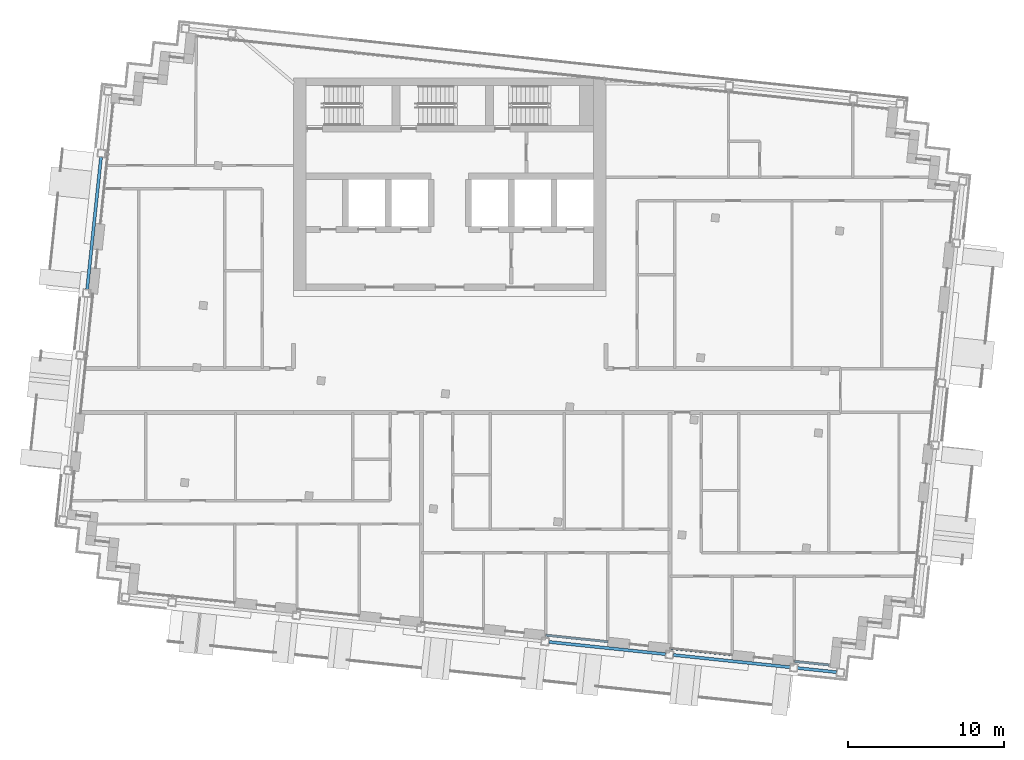
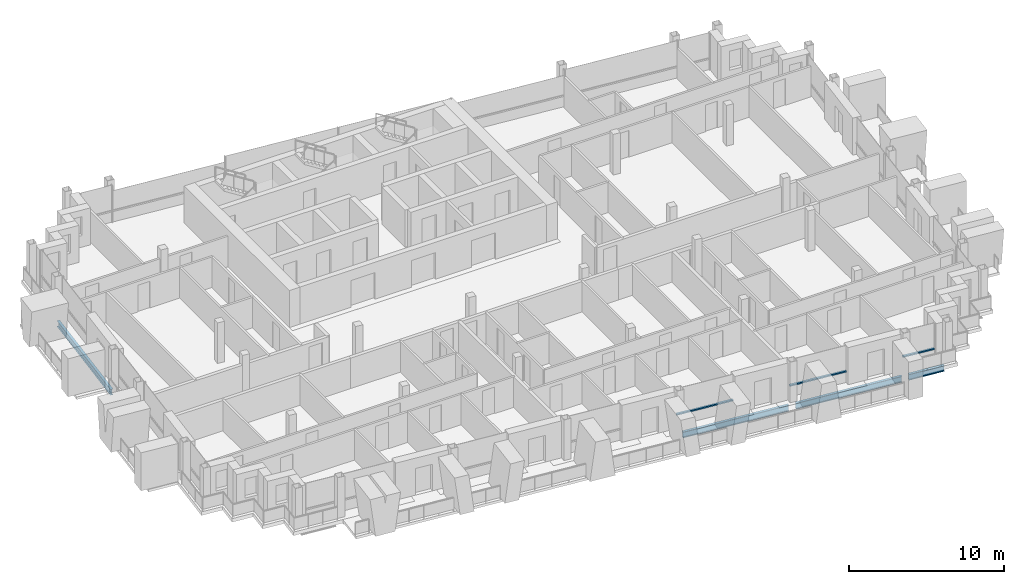
# One storey, part 3 of 17: 4 beams, 3 members, 3 elements without a shape of their own.
"""IFC4 building model written with IfcOpenShell, lengths in metres."""

from ifc_helpers import new_model, si_unit, direction, frame, origin, origin_2d, place, context, subcontext, project, spatial, rectangle, i_section, extrude, material, material_profile, profile_set, type_object, element, aggregate, save


model = new_model("IFC4")

# Units and contexts
model_context = context("Model", 3, precision=1e-05, world=origin(), true_north=direction((0.0, 1.0)))
body_context = subcontext(model_context, "Body", "Model", "MODEL_VIEW")
ifc_project = project(units=[si_unit("LENGTHUNIT", "METRE"), si_unit("AREAUNIT", "SQUARE_METRE"), si_unit("VOLUMEUNIT", "CUBIC_METRE"), si_unit("PLANEANGLEUNIT", "RADIAN"), si_unit("MASSUNIT", "GRAM", prefix="KILO")], contexts=[model_context])

# Site, building, storey
site_placement = place(None, origin())
site = spatial("IfcSite", under=ifc_project, at=site_placement, CompositionType="ELEMENT")
building_placement = place(site_placement, origin())
building = spatial("IfcBuilding", under=site, at=building_placement, Name="Vidyagriha Tower", CompositionType="ELEMENT")
storey_placement = place(building_placement, frame((0.0, 0.0, 265.89990234375)))
storey = spatial("IfcBuildingStorey", under=building, at=storey_placement, Name="L69", CompositionType="ELEMENT", Elevation=265.89990234375)

# Beams
ifc_material_1 = material(Name="Steel ASTM A992 Grade 50", Category="steel")
ifc_material_profile_1 = material_profile(ifc_material_1, i_section(OverallWidth=0.19189453125, OverallDepth=0.46240234375, WebThickness=0.010498046875, FlangeThickness=0.017578125, at=origin_2d()), Name="W18X60")
ifc_profile_set_1 = profile_set([ifc_material_profile_1], Name="Steel ASTM A992 Grade 50")
beam_type = type_object("IfcBeamType", Name="Edge beam W18X60", PredefinedType="SPANDREL", material=ifc_profile_set_1)
for number, where, z_axis, x_axis, name in (
    (1, (6.3486328125, -16.091064453125, -0.510986328125), (0.994522384662, -0.104523807841, 0.0), (0.104523807841, 0.994522384662, 0.0), "st-beam-L69-S05"),
    (2, (14.304931640625, -16.92724609375, -0.510986328125), (0.994522384662, -0.104523807841, 0.0), (0.104523807841, 0.994522384662, 0.0), "st-beam-L69-S06"),
):
    element("IfcBeam", number, at=place(storey_placement, frame(where, z_axis=z_axis, x_axis=x_axis)), inside=storey, type_object=beam_type, Name=name, PredefinedType="SPANDREL", context=body_context, shape_type="SweptSolid", body=[
        extrude(i_section(OverallWidth=0.19189453125, OverallDepth=0.46240234375, WebThickness=0.010498046875, FlangeThickness=0.017578125, at=origin_2d()), origin(), (0.0, 0.0, 1.0), 7.5),
    ])
beam_1_placement = place(storey_placement, frame((22.260986328125, -17.763427734375, -0.510986328125), z_axis=(0.994515615024, -0.104588199498, 0.0), x_axis=(0.104588199498, 0.994515615024, 0.0)))
element("IfcBeam", 3, at=beam_1_placement, inside=storey, type_object=beam_type, Name="st-beam-L69-S07", PredefinedType="SPANDREL", context=body_context, shape_type="SweptSolid", body=[
    extrude(i_section(OverallWidth=0.19189453125, OverallDepth=0.46240234375, WebThickness=0.010498046875, FlangeThickness=0.017578125, at=origin_2d()), origin(), (0.0, 0.0, 1.0), 2.5),
])
beam_2_placement = place(storey_placement, frame((-23.20458984375, 6.4716796875, -0.510986328125), z_axis=(0.104518825829, 0.994522908257, 0.0), x_axis=(-0.994522908257, 0.104518825829, 0.0)))
element("IfcBeam", 4, at=beam_2_placement, inside=storey, type_object=beam_type, Name="st-beam-L69-W11", PredefinedType="SPANDREL", context=body_context, shape_type="SweptSolid", body=[
    extrude(i_section(OverallWidth=0.19189453125, OverallDepth=0.46240234375, WebThickness=0.010498046875, FlangeThickness=0.017578125, at=origin_2d()), origin(), (0.0, 0.0, 1.0), 8.500244140625),
])

# Curtain wall, member
ifc_material_2 = material(Name="Aluminium and glass curtain wall", Category="aluminium")
curtain_wall_type = type_object("IfcCurtainWallType", Name="Dwelling skin unitised curtain wall", PredefinedType="USERDEFINED", material=ifc_material_2)
curtain_wall_1_placement = place(storey_placement, origin())
curtain_wall_1 = element("IfcCurtainWall", 5, at=curtain_wall_1_placement, inside=storey, type_object=curtain_wall_type, Name="CW1 dwelling skin", ObjectType="UNITISED", PredefinedType="USERDEFINED")
ifc_material_3 = material(Name="Aluminium black anodised", Category="aluminium")
ifc_material_profile_2 = material_profile(ifc_material_3, rectangle(XDim=0.159912109375, YDim=0.10009765625, at=origin_2d()), Name="Transom 100x160 black aluminium")
ifc_profile_set_2 = profile_set([ifc_material_profile_2], Name="Aluminium black anodised")
member_type = type_object("IfcMemberType", Name="Transom 100x160 black aluminium", PredefinedType="USERDEFINED", material=ifc_profile_set_2)
member_1_placement = place(storey_placement, frame((6.141845703125, -15.6669921875, 0.900146484375), z_axis=(0.99451982373, -0.104548171712, 0.0), x_axis=(0.104548171712, 0.99451982373, 0.0)))
member_1 = element("IfcMember", 6, at=member_1_placement, type_object=member_type, Name="CW1 transom 1.1", ObjectType="TRANSOM", PredefinedType="USERDEFINED", context=body_context, shape_type="SweptSolid", body=[
    extrude(rectangle(XDim=0.159912109375, YDim=0.10009765625, at=origin_2d()), origin(), (0.0, 0.0, 1.0), 4.000244140625),
])
aggregate(curtain_wall_1, [member_1])

curtain_wall_2_placement = place(storey_placement, origin())
curtain_wall_2 = element("IfcCurtainWall", 7, at=curtain_wall_2_placement, inside=storey, type_object=curtain_wall_type, Name="CW1 dwelling skin", ObjectType="UNITISED", PredefinedType="USERDEFINED")
member_2_placement = place(storey_placement, frame((14.09814453125, -16.50341796875, 0.900146484375), z_axis=(0.99452550138, -0.104494148666, 0.0), x_axis=(0.104494148666, 0.99452550138, 0.0)))
member_2 = element("IfcMember", 8, at=member_2_placement, type_object=member_type, Name="CW1 transom 1.1", ObjectType="TRANSOM", PredefinedType="USERDEFINED", context=body_context, shape_type="SweptSolid", body=[
    extrude(rectangle(XDim=0.159912109375, YDim=0.10009765625, at=origin_2d()), origin(), (0.0, 0.0, 1.0), 4.0),
])
aggregate(curtain_wall_2, [member_2])

curtain_wall_3_placement = place(storey_placement, origin())
curtain_wall_3 = element("IfcCurtainWall", 9, at=curtain_wall_3_placement, inside=storey, type_object=curtain_wall_type, Name="CW1 dwelling skin", ObjectType="UNITISED", PredefinedType="USERDEFINED")
member_3_placement = place(storey_placement, frame((22.05419921875, -17.339599609375, 0.900146484375), z_axis=(0.994530619876, -0.10444542177, 0.0), x_axis=(0.10444542177, 0.994530619876, 0.0)))
member_3 = element("IfcMember", 10, at=member_3_placement, type_object=member_type, Name="CW1 transom 1.1", ObjectType="TRANSOM", PredefinedType="USERDEFINED", context=body_context, shape_type="SweptSolid", body=[
    extrude(rectangle(XDim=0.159912109375, YDim=0.10009765625, at=origin_2d()), origin(), (0.0, 0.0, 1.0), 2.22998046875),
])
aggregate(curtain_wall_3, [member_3])

save(model, "model.ifc")
